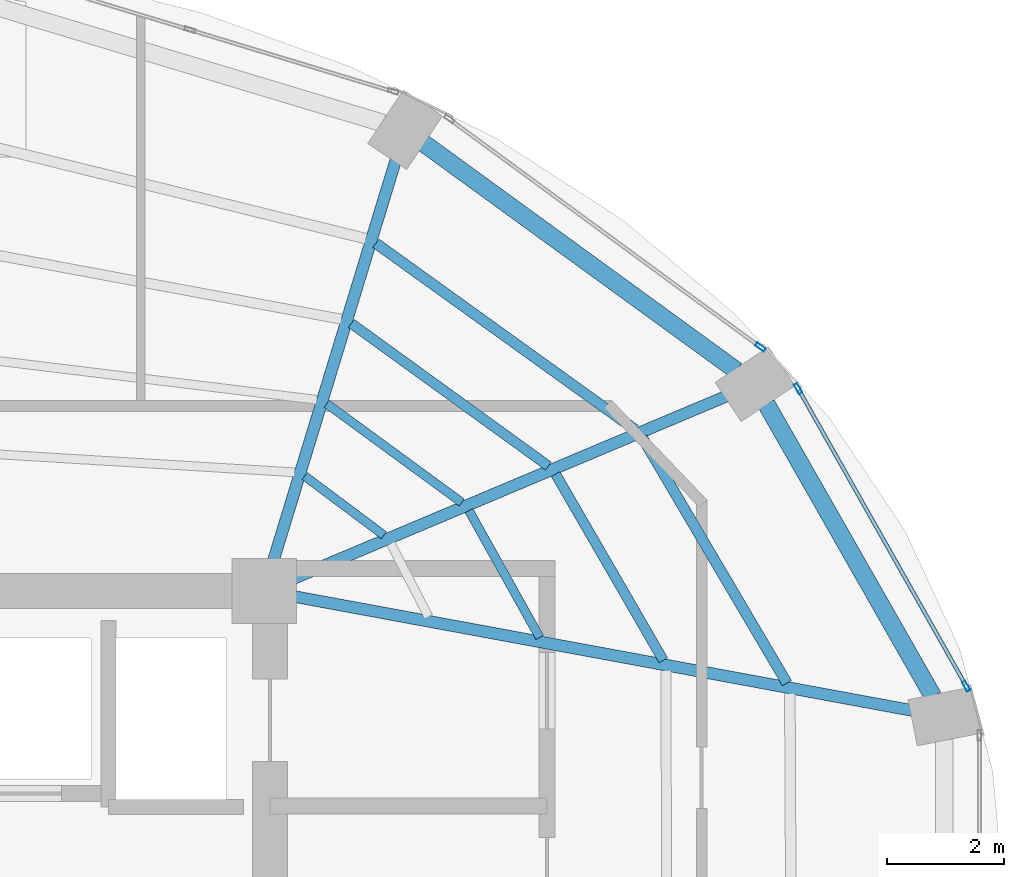
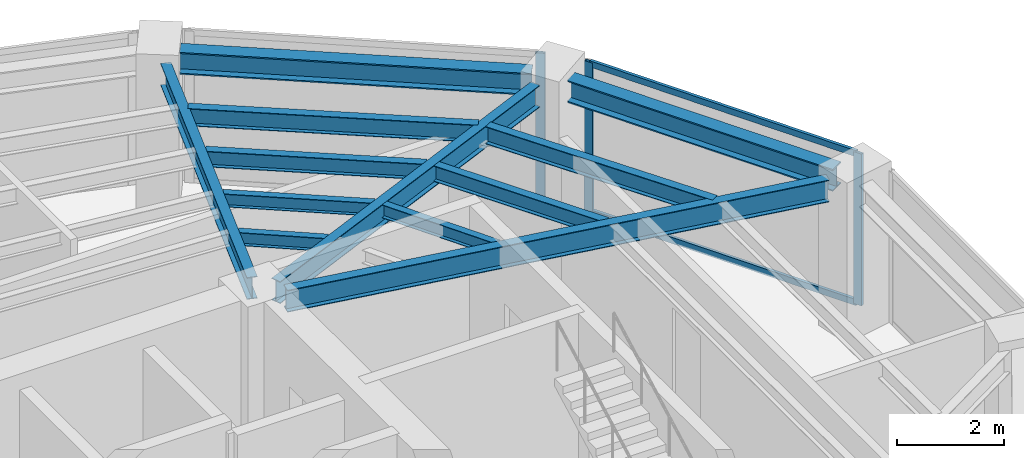
# One storey, part 15 of 23: 12 beams, 5 members, 2 elements without a shape of their own.
"""IFC4 building model written with IfcOpenShell, lengths in metres."""

from ifc_helpers import new_model, si_unit, direction, frame, origin, origin_2d, place, context, subcontext, project, spatial, hollow_rectangle, i_section, extrude, material, layer, layer_set, material_profile, profile_set, type_object, element, aggregate, save


model = new_model("IFC4")

# Units and contexts
model_context = context("Model", 3, precision=1e-05, world=origin(), true_north=direction((0.0, 1.0)))
body_context = subcontext(model_context, "Body", "Model", "MODEL_VIEW")
ifc_project = project(units=[si_unit("LENGTHUNIT", "METRE"), si_unit("AREAUNIT", "SQUARE_METRE"), si_unit("VOLUMEUNIT", "CUBIC_METRE"), si_unit("PLANEANGLEUNIT", "RADIAN"), si_unit("MASSUNIT", "GRAM", prefix="KILO")], contexts=[model_context])

# Site, building, storey
site_placement = place(None, origin())
site = spatial("IfcSite", under=ifc_project, at=site_placement, CompositionType="ELEMENT")
building_placement = place(site_placement, origin())
building = spatial("IfcBuilding", under=site, at=building_placement, Name="Lazwardi Medical Tower", CompositionType="ELEMENT")
storey_placement = place(building_placement, frame((0.0, 0.0, 209.424072265625)))
storey = spatial("IfcBuildingStorey", under=building, at=storey_placement, Name="L54", CompositionType="ELEMENT", Elevation=209.424072265625)

# Beams
ifc_material_1 = material(Name="Steel S355", Category="steel")
ifc_material_profile_1 = material_profile(ifc_material_1, i_section(OverallWidth=0.300048828125, OverallDepth=0.5, WebThickness=0.014404296875, FlangeThickness=0.028076171875, at=origin_2d()), Name="HEB 500")
ifc_profile_set_1 = profile_set([ifc_material_profile_1], Name="Steel S355")
beam_type_1 = type_object("IfcBeamType", Name="BM-RB-Z4", PredefinedType="BEAM", material=ifc_profile_set_1)
beam_1_placement = place(storey_placement, frame((56.991943359375, 33.8017578125, 3.197998046875), z_axis=(-0.495125273299, 0.868821594886, 0.0), x_axis=(-0.868821594886, -0.495125273299, 0.0)))
element("IfcBeam", 1, at=beam_1_placement, inside=storey, type_object=beam_type_1, Name="Ring beam RB-05 B05 L54", PredefinedType="BEAM", context=body_context, shape_type="SweptSolid", body=[
    extrude(i_section(OverallWidth=0.300048828125, OverallDepth=0.5, WebThickness=0.014404296875, FlangeThickness=0.028076171875, at=origin_2d()), origin(), (0.0, 0.0, 1.0), 5.734130859375),
])
beam_2_placement = place(storey_placement, frame((53.644287109375, 39.351806640625, 3.197998046875), z_axis=(-0.808889916254, 0.587960120571, 0.0), x_axis=(-0.587960120571, -0.808889916254, 0.0)))
element("IfcBeam", 2, at=beam_2_placement, inside=storey, type_object=beam_type_1, Name="Ring beam RB-05 B06 L54", PredefinedType="BEAM", context=body_context, shape_type="SweptSolid", body=[
    extrude(i_section(OverallWidth=0.300048828125, OverallDepth=0.5, WebThickness=0.014404296875, FlangeThickness=0.028076171875, at=origin_2d()), origin(), (0.0, 0.0, 1.0), 6.587158203125),
])
ifc_material_profile_2 = material_profile(ifc_material_1, i_section(OverallWidth=0.199951171875, OverallDepth=0.5, WebThickness=0.01025390625, FlangeThickness=0.01611328125, at=origin_2d()), Name="IPE 500")
ifc_profile_set_2 = profile_set([ifc_material_profile_2], Name="Steel S355")
beam_type_2 = type_object("IfcBeamType", Name="BM-RG-W3", PredefinedType="BEAM", material=ifc_profile_set_2)
beam_3_placement = place(storey_placement, frame((56.658935546875, 33.56005859375, 3.197998046875), z_axis=(-0.983409341459, 0.181400295288, 0.0), x_axis=(-0.181400295288, -0.983409341459, 0.0)))
element("IfcBeam", 3, at=beam_3_placement, inside=storey, type_object=beam_type_2, Name="Radial girder RG-04 R05 L54", PredefinedType="BEAM", context=body_context, shape_type="SweptSolid", body=[
    extrude(i_section(OverallWidth=0.199951171875, OverallDepth=0.5, WebThickness=0.01025390625, FlangeThickness=0.01611328125, at=origin_2d()), origin(), (0.0, 0.0, 1.0), 10.71044921875),
])
beam_4_placement = place(storey_placement, frame((53.466796875, 38.914794921875, 3.197998046875), z_axis=(-0.921526791352, -0.388314785735, 0.0), x_axis=(0.388314785735, -0.921526791352, 0.0)))
element("IfcBeam", 4, at=beam_4_placement, inside=storey, type_object=beam_type_2, Name="Radial girder RG-04 R06 L54", PredefinedType="BEAM", context=body_context, shape_type="SweptSolid", body=[
    extrude(i_section(OverallWidth=0.199951171875, OverallDepth=0.5, WebThickness=0.01025390625, FlangeThickness=0.01611328125, at=origin_2d()), origin(), (0.0, 0.0, 1.0), 8.001708984375),
])
beam_5_placement = place(storey_placement, frame((47.843994140625, 42.9423828125, 3.197998046875), z_axis=(-0.292276716539, -0.956333791607, 0.0), x_axis=(0.956333791607, -0.292276716539, 0.0)))
element("IfcBeam", 5, at=beam_5_placement, inside=storey, type_object=beam_type_2, Name="Radial girder RG-04 R07 L54", PredefinedType="BEAM", context=body_context, shape_type="SweptSolid", body=[
    extrude(i_section(OverallWidth=0.199951171875, OverallDepth=0.5, WebThickness=0.01025390625, FlangeThickness=0.01611328125, at=origin_2d()), origin(), (0.0, 0.0, 1.0), 7.142822265625),
])
ifc_material_profile_3 = material_profile(ifc_material_1, i_section(OverallWidth=0.179931640625, OverallDepth=0.39990234375, WebThickness=0.008544921875, FlangeThickness=0.013427734375, at=origin_2d()), Name="IPE 400")
ifc_profile_set_3 = profile_set([ifc_material_profile_3], Name="Steel S355")
beam_type_3 = type_object("IfcBeamType", Name="BM-SJ-01", PredefinedType="JOIST", material=ifc_profile_set_3)
beam_6_placement = place(storey_placement, frame((54.504150390625, 34.030517578125, 3.248046875), z_axis=(-0.507710311367, 0.861527851977, 0.0), x_axis=(-0.861527851977, -0.507710311367, 0.0)))
element("IfcBeam", 6, at=beam_6_placement, inside=storey, type_object=beam_type_3, Name="Secondary joist SJ-01 R1 B05 L54", PredefinedType="JOIST", context=body_context, shape_type="SweptSolid", body=[
    extrude(i_section(OverallWidth=0.179931640625, OverallDepth=0.39990234375, WebThickness=0.008544921875, FlangeThickness=0.013427734375, at=origin_2d()), origin(), (0.0, 0.0, 1.0), 4.852783203125),
])
beam_7_placement = place(storey_placement, frame((51.914794921875, 38.348876953125, 3.248046875), z_axis=(-0.811889581337, 0.58381102055, 0.0), x_axis=(-0.58381102055, -0.811889581337, 0.0)))
element("IfcBeam", 7, at=beam_7_placement, inside=storey, type_object=beam_type_3, Name="Secondary joist SJ-01 R1 B06 L54", PredefinedType="JOIST", context=body_context, shape_type="SweptSolid", body=[
    extrude(i_section(OverallWidth=0.179931640625, OverallDepth=0.39990234375, WebThickness=0.008544921875, FlangeThickness=0.013427734375, at=origin_2d()), origin(), (0.0, 0.0, 1.0), 5.433349609375),
])
ifc_material_profile_4 = material_profile(ifc_material_1, i_section(OverallWidth=0.169921875, OverallDepth=0.360107421875, WebThickness=0.008056640625, FlangeThickness=0.0126953125, at=origin_2d()), Name="IPE 360")
ifc_profile_set_4 = profile_set([ifc_material_profile_4], Name="Steel S355")
beam_type_4 = type_object("IfcBeamType", Name="BM-SJ-02", PredefinedType="JOIST", material=ifc_profile_set_4)
beam_8_placement = place(storey_placement, frame((52.398193359375, 34.41943359375, 3.267822265625), z_axis=(-0.500655179543, 0.865646805109, 0.0), x_axis=(-0.865646805109, -0.500655179543, 0.0)))
element("IfcBeam", 8, at=beam_8_placement, inside=storey, type_object=beam_type_4, Name="Secondary joist SJ-02 R2 B05 L54", PredefinedType="JOIST", context=body_context, shape_type="SweptSolid", body=[
    extrude(i_section(OverallWidth=0.169921875, OverallDepth=0.360107421875, WebThickness=0.008056640625, FlangeThickness=0.0126953125, at=origin_2d()), origin(), (0.0, 0.0, 1.0), 3.662109375),
])
beam_9_placement = place(storey_placement, frame((50.440185546875, 37.7275390625, 3.267822265625), z_axis=(-0.810164229155, 0.586202969796, 0.0), x_axis=(-0.586202969796, -0.810164229155, 0.0)))
element("IfcBeam", 9, at=beam_9_placement, inside=storey, type_object=beam_type_4, Name="Secondary joist SJ-02 R2 B06 L54", PredefinedType="JOIST", context=body_context, shape_type="SweptSolid", body=[
    extrude(i_section(OverallWidth=0.169921875, OverallDepth=0.360107421875, WebThickness=0.008056640625, FlangeThickness=0.0126953125, at=origin_2d()), origin(), (0.0, 0.0, 1.0), 4.14013671875),
])
ifc_material_profile_5 = material_profile(ifc_material_1, i_section(OverallWidth=0.14990234375, OverallDepth=0.300048828125, WebThickness=0.007080078125, FlangeThickness=0.0107421875, at=origin_2d()), Name="IPE 300")
ifc_profile_set_5 = profile_set([ifc_material_profile_5], Name="Steel S355")
beam_type_5 = type_object("IfcBeamType", Name="BM-SJ-03", PredefinedType="JOIST", material=ifc_profile_set_5)
beam_10_placement = place(storey_placement, frame((50.29296875, 34.80859375, 3.2978515625), z_axis=(-0.487092942089, 0.873350139272, 0.0), x_axis=(-0.873350139272, -0.487092942089, 0.0)))
element("IfcBeam", 10, at=beam_10_placement, inside=storey, type_object=beam_type_5, Name="Secondary joist SJ-03 R3 B05 L54", PredefinedType="JOIST", context=body_context, shape_type="SweptSolid", body=[
    extrude(i_section(OverallWidth=0.14990234375, OverallDepth=0.300048828125, WebThickness=0.007080078125, FlangeThickness=0.0107421875, at=origin_2d()), origin(), (0.0, 0.0, 1.0), 2.471923828125),
])
beam_11_placement = place(storey_placement, frame((48.9658203125, 37.106689453125, 3.2978515625), z_axis=(-0.80703431267, 0.59050454543, 0.0), x_axis=(-0.59050454543, -0.80703431267, 0.0)))
element("IfcBeam", 11, at=beam_11_placement, inside=storey, type_object=beam_type_5, Name="Secondary joist SJ-03 R3 B06 L54", PredefinedType="JOIST", context=body_context, shape_type="SweptSolid", body=[
    extrude(i_section(OverallWidth=0.14990234375, OverallDepth=0.300048828125, WebThickness=0.007080078125, FlangeThickness=0.0107421875, at=origin_2d()), origin(), (0.0, 0.0, 1.0), 2.846923828125),
])
beam_12_placement = place(storey_placement, frame((47.63916015625, 36.548095703125, 3.2978515625), z_axis=(-0.800365301971, 0.599512621553, 0.0), x_axis=(-0.599512621553, -0.800365301971, 0.0)))
element("IfcBeam", 12, at=beam_12_placement, inside=storey, type_object=beam_type_5, Name="Secondary joist SJ-03 R4 B06 L54", PredefinedType="JOIST", context=body_context, shape_type="SweptSolid", body=[
    extrude(i_section(OverallWidth=0.14990234375, OverallDepth=0.300048828125, WebThickness=0.007080078125, FlangeThickness=0.0107421875, at=origin_2d()), origin(), (0.0, 0.0, 1.0), 1.68359375),
])

# Curtain wall, members
ifc_material_2 = material(Name="Anodised bronze aluminium and solar control glazing", Category="aluminium")
ifc_layer = layer(ifc_material_2, 0.18994140625)
ifc_layer_set = layer_set([ifc_layer], Name="Anodised bronze aluminium and solar control glazing")
curtain_wall_type = type_object("IfcCurtainWallType", Name="CW-SYS-04", PredefinedType="NOTDEFINED", material=ifc_layer_set)
curtain_wall_1_placement = place(storey_placement, origin())
curtain_wall_1 = element("IfcCurtainWall", 13, at=curtain_wall_1_placement, inside=storey, type_object=curtain_wall_type, Name="L54 Unitised bronze curtain wall CW-04", PredefinedType="NOTDEFINED")
ifc_material_3 = material(Name="Anodised bronze aluminium", Category="aluminium")
ifc_material_profile_6 = material_profile(ifc_material_3, hollow_rectangle(XDim=0.06494140625, YDim=0.179931640625, WallThickness=0.00390625, at=origin_2d()), Name="ALU-MULLION 180x65x4")
ifc_profile_set_6 = profile_set([ifc_material_profile_6], Name="Anodised bronze aluminium")
member_type_1 = type_object("IfcMemberType", Name="CW-MUL-03", PredefinedType="MULLION", material=ifc_profile_set_6)
member_1_placement = place(storey_placement, frame((57.557373046875, 33.978271484375, 0.0), z_axis=(0.0, 0.0, 1.0), x_axis=(-0.870651436011, -0.491900474661, 0.0)))
member_1 = element("IfcMember", 14, at=member_1_placement, type_object=member_type_1, Name="CW-04 mullion 1", PredefinedType="MULLION", context=body_context, shape_type="SweptSolid", body=[
    extrude(hollow_rectangle(XDim=0.06494140625, YDim=0.179931640625, WallThickness=0.00390625, at=origin_2d()), origin(), (0.0, 0.0, 1.0), 3.447998046875),
])
member_2_placement = place(storey_placement, frame((54.6943359375, 39.04541015625, 0.0), z_axis=(0.0, 0.0, 1.0), x_axis=(-0.870651436011, -0.491900474661, 0.0)))
member_2 = element("IfcMember", 15, at=member_2_placement, type_object=member_type_1, Name="CW-04 mullion 2", PredefinedType="MULLION", context=body_context, shape_type="SweptSolid", body=[
    extrude(hollow_rectangle(XDim=0.06494140625, YDim=0.179931640625, WallThickness=0.00390625, at=origin_2d()), origin(), (0.0, 0.0, 1.0), 3.447998046875),
])

# Curtain wall, member
curtain_wall_2_placement = place(storey_placement, origin())
curtain_wall_2 = element("IfcCurtainWall", 16, at=curtain_wall_2_placement, inside=storey, type_object=curtain_wall_type, Name="L54 Unitised bronze curtain wall CW-04", PredefinedType="NOTDEFINED")
member_3_placement = place(storey_placement, frame((54.052001953125, 39.751708984375, 0.0), z_axis=(0.0, 0.0, 1.0), x_axis=(-0.591268230971, -0.806474971121, 0.0)))
member_3 = element("IfcMember", 17, at=member_3_placement, type_object=member_type_1, Name="CW-04 mullion 1", PredefinedType="MULLION", context=body_context, shape_type="SweptSolid", body=[
    extrude(hollow_rectangle(XDim=0.06494140625, YDim=0.179931640625, WallThickness=0.00390625, at=origin_2d()), origin(), (0.0, 0.0, 1.0), 3.447998046875),
])
aggregate(curtain_wall_2, [member_3])

# Member
ifc_material_profile_7 = material_profile(ifc_material_3, hollow_rectangle(XDim=0.06494140625, YDim=0.139892578125, WallThickness=0.00341796875, at=origin_2d()), Name="ALU-TRANSOM 140x65x3.5")
ifc_profile_set_7 = profile_set([ifc_material_profile_7], Name="Anodised bronze aluminium")
member_type_2 = type_object("IfcMemberType", Name="CW-TRN-03", PredefinedType="USERDEFINED", material=ifc_profile_set_7)
member_4_placement = place(storey_placement, frame((57.541259765625, 34.006591796875, 0.032470703125), z_axis=(-0.491897887635, 0.870652897623, 0.0), x_axis=(-0.870652897623, -0.491897887635, 0.0)))
member_4 = element("IfcMember", 18, at=member_4_placement, type_object=member_type_2, Name="CW-04 transom 1.1", ObjectType="TRANSOM", PredefinedType="USERDEFINED", context=body_context, shape_type="SweptSolid", body=[
    extrude(hollow_rectangle(XDim=0.06494140625, YDim=0.139892578125, WallThickness=0.00341796875, at=origin_2d()), origin(), (0.0, 0.0, 1.0), 5.7548828125),
])

member_5_placement = place(storey_placement, frame((57.541259765625, 34.006591796875, 3.41552734375), z_axis=(-0.491897887635, 0.870652897623, 0.0), x_axis=(-0.870652897623, -0.491897887635, 0.0)))
member_5 = element("IfcMember", 19, at=member_5_placement, type_object=member_type_2, Name="CW-04 transom 1.2", ObjectType="TRANSOM", PredefinedType="USERDEFINED", context=body_context, shape_type="SweptSolid", body=[
    extrude(hollow_rectangle(XDim=0.06494140625, YDim=0.139892578125, WallThickness=0.00341796875, at=origin_2d()), origin(), (0.0, 0.0, 1.0), 5.7548828125),
])

aggregate(curtain_wall_1, [member_1, member_2, member_4, member_5])

save(model, "model.ifc")
